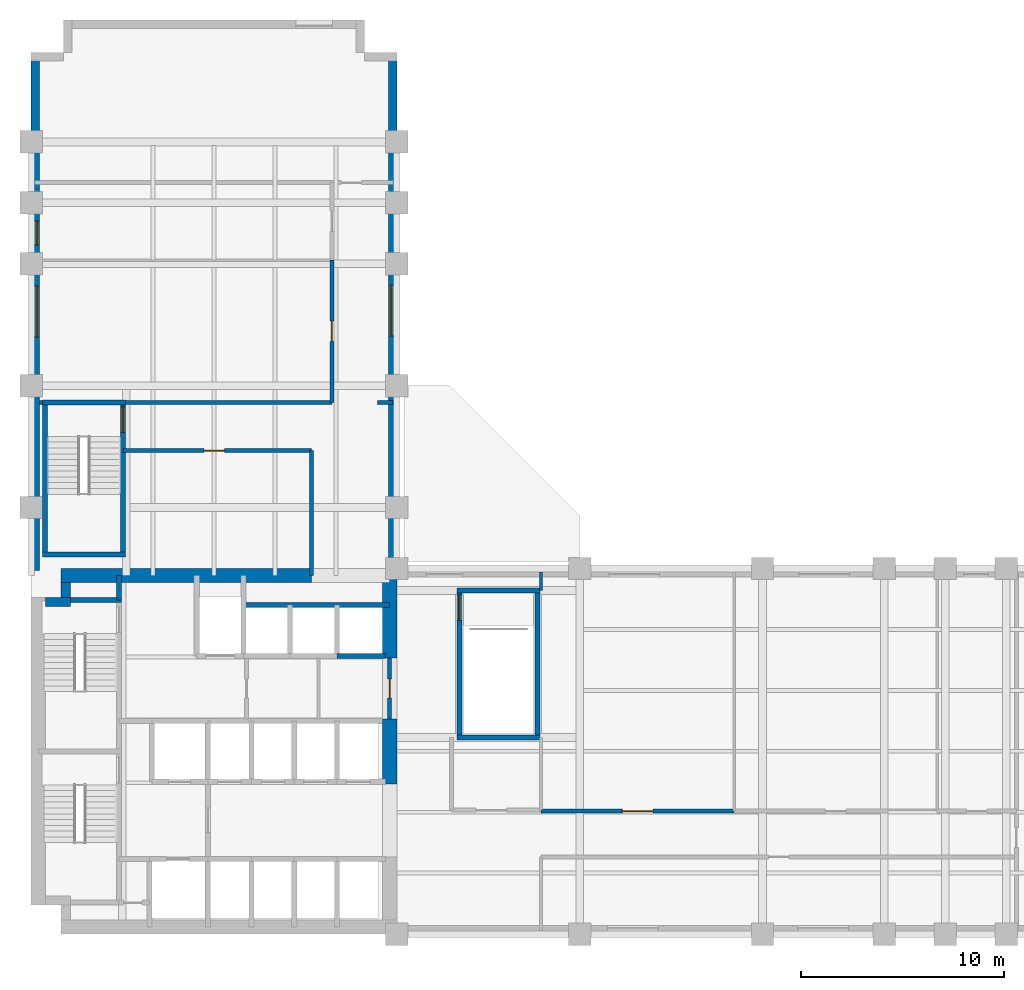
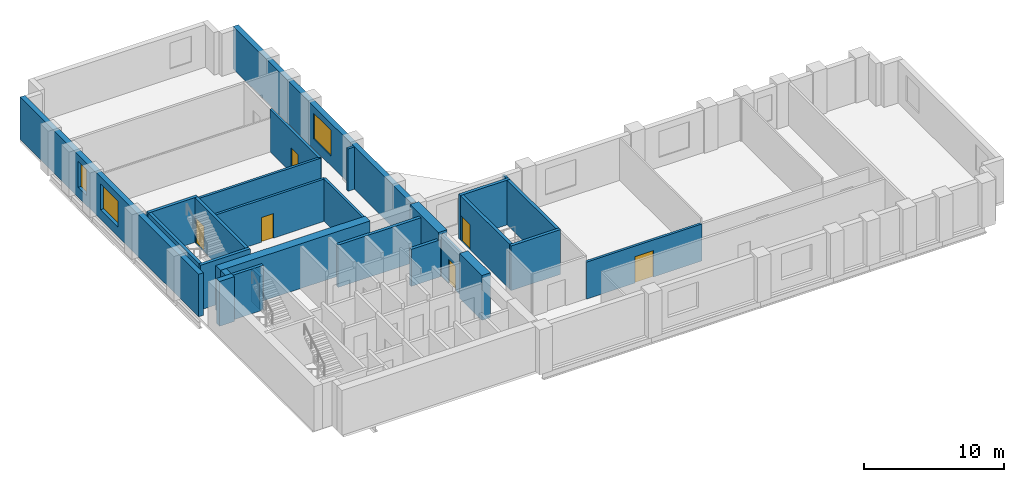
# One storey, part 4 of 7: 28 walls, 6 doors, 3 windows, 9 openings.
"""IFC4 building model written with IfcOpenShell, lengths in metres."""

import ifcopenshell
import ifcopenshell.guid

model = None  # the IFC model being written
_history = None  # IfcOwnerHistory: only IFC2X3 demands one
_inside = {}  # id of a spatial element -> (the spatial element, [elements in it])
_under = {}  # id of a project, library or spatial element -> (it, [spatial elements below it])
_declared = {}  # id of a project -> (the project, [libraries it declares])
_typed = {}  # id of a type object -> (the type object, [elements of that type])
_made_of = {}  # id of a material, layer set ... -> (it, [elements and type objects made of it])


def new_model(schema):
    """Start an empty IFC model of exactly this schema.

    Asked for "IFC4X3", IfcOpenShell would pick the latest addendum, in which some entities
    have other attributes; the version numbers below select the first issue.
    IFC2X3 requires an IfcOwnerHistory on every rooted entity: one is made here for all.
    """
    global model, _history
    if schema == "IFC4X3":
        model = ifcopenshell.file(schema_version=(4, 3, 0, 0))
    else:
        model = ifcopenshell.file(schema=schema)
    _inside.clear()
    _under.clear()
    _declared.clear()
    _typed.clear()
    _made_of.clear()
    _history = None
    if model.schema == "IFC2X3":
        org = make("IfcOrganization", Name="unknown")
        user = make(
            "IfcPersonAndOrganization",
            ThePerson=make("IfcPerson", FamilyName="unknown"),
            TheOrganization=org,
        )
        app = make(
            "IfcApplication",
            ApplicationDeveloper=org,
            Version="unknown",
            ApplicationFullName="unknown",
            ApplicationIdentifier="unknown",
        )
        _history = make(
            "IfcOwnerHistory",
            OwningUser=user,
            OwningApplication=app,
            ChangeAction="ADDED",
            CreationDate=0,
        )
    return model


def make(cls, **values):
    """One entity of the class cls with the attributes given. An attribute that is None is left unset."""
    return model.create_entity(
        cls, **{name: value for name, value in values.items() if value is not None}
    )


def rooted(cls, **values):
    """An entity with a GlobalId (a new one), such as an element, a storey or a relation."""
    return make(cls, GlobalId=ifcopenshell.guid.new(), OwnerHistory=_history, **values)


def si_unit(unit_type, name, prefix=None):
    """IfcSIUnit, for example si_unit("LENGTHUNIT", "METRE", prefix="MILLI")."""
    return make("IfcSIUnit", UnitType=unit_type, Prefix=prefix, Name=name)


def assignment(units):
    """IfcUnitAssignment: the units of a project."""
    return None if units is None else make("IfcUnitAssignment", Units=units)


def point(xyz):
    """IfcCartesianPoint."""
    return None if xyz is None else make("IfcCartesianPoint", Coordinates=xyz)


def direction(xyz):
    """IfcDirection."""
    return None if xyz is None else make("IfcDirection", DirectionRatios=xyz)


def frame(location, z_axis=None, x_axis=None):
    """IfcAxis2Placement3D, a coordinate frame: its origin and axes. An axis left out is left unset."""
    return make(
        "IfcAxis2Placement3D",
        Location=point(location),
        Axis=direction(z_axis),
        RefDirection=direction(x_axis),
    )


def frame_2d(location, x_axis=None):
    """IfcAxis2Placement2D, a coordinate frame in the plane: its origin and x axis."""
    return make(
        "IfcAxis2Placement2D", Location=point(location), RefDirection=direction(x_axis)
    )


def origin():
    """The frame at (0, 0, 0) with its axes left unset."""
    return frame((0.0, 0.0, 0.0))


def place(relative_to, where):
    """IfcLocalPlacement: puts the frame where relative to a parent placement (None: the world)."""
    return make(
        "IfcLocalPlacement", PlacementRelTo=relative_to, RelativePlacement=where
    )


def context(
    kind, dimensions, precision=None, world=None, true_north=None, identifier=None
):
    """IfcGeometricRepresentationContext, for example the 3D "Model" context."""
    return make(
        "IfcGeometricRepresentationContext",
        ContextIdentifier=identifier,
        ContextType=kind,
        CoordinateSpaceDimension=dimensions,
        Precision=precision,
        WorldCoordinateSystem=world,
        TrueNorth=true_north,
    )


def subcontext(parent, identifier, kind, view, scale=None):
    """IfcGeometricRepresentationSubContext, for example "Body" below "Model"."""
    return make(
        "IfcGeometricRepresentationSubContext",
        ContextIdentifier=identifier,
        ContextType=kind,
        ParentContext=parent,
        TargetScale=scale,
        TargetView=view,
    )


def project(units=None, contexts=None):
    """IfcProject with its units and contexts."""
    return rooted(
        "IfcProject",
        Name="project",
        RepresentationContexts=contexts,
        UnitsInContext=assignment(units),
    )


def spatial(cls, under=None, at=None, **own):
    """A site, building, storey or space (cls), placed at a placement, below another one or the project."""
    s = rooted(cls, ObjectPlacement=at, **own)
    if under is not None:
        _under.setdefault(under.id(), (under, []))[1].append(s)
    return s


def profile(cls, at=None, kind="AREA", **sizes):
    """A parametric profile (cls). Its sizes go by their IFC names, for example OverallWidth=200.0."""
    return make(cls, ProfileType=kind, Position=at, **sizes)


def rectangle(**sizes):
    """IfcRectangleProfileDef."""
    return profile("IfcRectangleProfileDef", **sizes)


def extrude(swept, where, along, depth):
    """IfcExtrudedAreaSolid: the profile swept, set in the frame where, extruded along a direction by depth."""
    return make(
        "IfcExtrudedAreaSolid",
        SweptArea=swept,
        Position=where,
        ExtrudedDirection=direction(along),
        Depth=depth,
    )


def shape(context_of_items, identifier, shape_type, items):
    """IfcShapeRepresentation: the items that make up one representation, for example the "Body"."""
    return make(
        "IfcShapeRepresentation",
        ContextOfItems=context_of_items,
        RepresentationIdentifier=identifier,
        RepresentationType=shape_type,
        Items=items,
    )


def material(Name=None, Category=None):
    """IfcMaterial."""
    return make("IfcMaterial", Name=Name, Category=Category)


def layer(
    of_material, thickness, ventilated=None, Name=None, Category=None, Priority=None
):
    """IfcMaterialLayer: one layer of a wall or slab, of a material (None: an air gap)."""
    return make(
        "IfcMaterialLayer",
        Material=of_material,
        LayerThickness=thickness,
        IsVentilated=ventilated,
        Name=Name,
        Category=Category,
        Priority=Priority,
    )


def layer_set(layers, Name=None):
    """IfcMaterialLayerSet."""
    return make("IfcMaterialLayerSet", MaterialLayers=layers, LayerSetName=Name)


def made_of(thing, what):
    """Note that an element or type object is made of a material, layer set ...; save() writes the relation."""
    if what is not None:
        _made_of.setdefault(what.id(), (what, []))[1].append(thing)
    return thing


def type_object(cls, material=None, **own):
    """A type object (cls), such as IfcWallType, which elements share."""
    return made_of(rooted(cls, **own), material)


def element(
    cls,
    number,
    at=None,
    inside=None,
    cuts=None,
    type_object=None,
    material=None,
    context=None,
    identifier="Body",
    shape_type=None,
    held_by="IfcProductDefinitionShape",
    body=None,
    shapes=None,
    **own,
):
    """One element of the class cls, such as IfcWall. Its Tag is "e" and its number.

    at: its placement. inside: the storey or other place that contains it. cuts: it is an
    opening in that element (IfcRelVoidsElement). A single representation is given by context,
    identifier, shape_type and body (its items); several are given by shapes. held_by: the class
    of the entity that holds the representations. save() writes the other relations.
    """
    e = rooted(cls, Tag="e%d" % number, ObjectPlacement=at, **own)
    if body is not None:
        shapes = [shape(context, identifier, shape_type, body)]
    if shapes is not None:
        e.Representation = make(held_by, Representations=shapes)
    if inside is not None:
        _inside.setdefault(inside.id(), (inside, []))[1].append(e)
    if cuts is not None:
        rooted(
            "IfcRelVoidsElement", RelatingBuildingElement=cuts, RelatedOpeningElement=e
        )
    if type_object is not None:
        _typed.setdefault(type_object.id(), (type_object, []))[1].append(e)
    return made_of(e, material)


def fill(opening, filler):
    """IfcRelFillsElement: the door or window that sits in an opening."""
    return rooted(
        "IfcRelFillsElement",
        RelatingOpeningElement=opening,
        RelatedBuildingElement=filler,
    )


def aggregate(whole, parts):
    """IfcRelAggregates: a whole, such as a stair, and the parts it consists of."""
    return rooted("IfcRelAggregates", RelatingObject=whole, RelatedObjects=parts)


def save(model, path):
    """Write the relations noted so far, then the file.

    IfcRelAggregates (storeys below a building ...), IfcRelContainedInSpatialStructure (elements
    in a storey), IfcRelDefinesByType, IfcRelAssociatesMaterial and IfcRelDeclares: one each for
    every whole, place, type object, material and project.
    """
    for whole, parts in _under.values():
        aggregate(whole, parts)
    for where, things in _inside.values():
        rooted(
            "IfcRelContainedInSpatialStructure",
            RelatedElements=things,
            RelatingStructure=where,
        )
    for kind, things in _typed.values():
        rooted("IfcRelDefinesByType", RelatedObjects=things, RelatingType=kind)
    for what, things in _made_of.values():
        rooted("IfcRelAssociatesMaterial", RelatedObjects=things, RelatingMaterial=what)
    for by, libraries in _declared.values():
        rooted("IfcRelDeclares", RelatingContext=by, RelatedDefinitions=libraries)
    model.write(path)


model = new_model("IFC4")

# Units and contexts
model_context = context("Model", 3, precision=1e-05, world=origin(), true_north=direction((0.0, 1.0)))
body_context = subcontext(model_context, "Body", "Model", "MODEL_VIEW")
ifc_project = project(units=[si_unit("LENGTHUNIT", "METRE"), si_unit("AREAUNIT", "SQUARE_METRE"), si_unit("VOLUMEUNIT", "CUBIC_METRE"), si_unit("PLANEANGLEUNIT", "RADIAN"), si_unit("MASSUNIT", "GRAM", prefix="KILO")], contexts=[model_context])

# Site, building, storey
site_placement = place(None, origin())
site = spatial("IfcSite", under=ifc_project, at=site_placement, CompositionType="ELEMENT")
building_placement = place(site_placement, origin())
building = spatial("IfcBuilding", under=site, at=building_placement, Name="Mawjdan Bourse Tower", CompositionType="ELEMENT")
storey_placement = place(building_placement, frame((0.0, 0.0, 93.300048828125)))
storey = spatial("IfcBuildingStorey", under=building, at=storey_placement, Name="L21", CompositionType="ELEMENT", Elevation=93.300048828125)

# Wall, opening, window
ifc_material_1 = material(Name="Brick Masonry Buff", Category="masonry")
ifc_layer_1 = layer(ifc_material_1, 0.419921875)
ifc_layer_set_1 = layer_set([ifc_layer_1], Name="Brick Masonry Buff")
wall_type_1 = type_object("IfcWallType", Name="WL-BRK-BUFF-420", PredefinedType="STANDARD", material=ifc_layer_set_1)
wall_1_placement = place(storey_placement, frame((23.7900390625, 21.0, 0.0), z_axis=(0.0, 0.0, 1.0), x_axis=(0.0, 1.0, 0.0)))
wall_1 = element("IfcWall", 1, at=wall_1_placement, inside=storey, type_object=wall_type_1, Name="L21 Exterior Brick Wall 8", PredefinedType="STANDARD", context=body_context, shape_type="SweptSolid", body=[
    extrude(rectangle(XDim=25.39990234375, YDim=0.419921875, at=frame_2d((12.699951171875, 0.0))), origin(), (0.0, 0.0, 1.0), 3.699951171875),
])
opening_1_placement = place(wall_1_placement, frame((11.449951171875, 0.0, 0.85009765625)))
opening_1 = element("IfcOpeningElement", 2, at=opening_1_placement, cuts=wall_1, Name="Opening W-L21-08", PredefinedType="OPENING", context=body_context, shape_type="SweptSolid", body=[
    extrude(rectangle(XDim=2.5, YDim=2.25, at=frame_2d((1.25, 1.125))), frame((0.0, 0.219970703125, 0.0), z_axis=(0.0, -1.0, 0.0), x_axis=(1.0, 0.0, 0.0)), (0.0, 0.0, 1.0), 0.43994140625),
])
ifc_material_2 = material(Name="Solar-Control Clear Double Glazing", Category="glass")
window_type_1 = type_object("IfcWindowType", Name="WN-Z2-2500", PartitioningType="SINGLE_PANEL", PredefinedType="WINDOW", material=ifc_material_2)
window_1_placement = place(opening_1_placement, origin())
window_1 = element("IfcWindow", 3, at=window_1_placement, inside=storey, type_object=window_type_1, Name="L21 Deep-Set Masonry Window W-L21-08", OverallHeight=2.25, OverallWidth=2.5, PartitioningType="SINGLE_PANEL", PredefinedType="WINDOW", context=body_context, shape_type="SweptSolid", body=[
    extrude(rectangle(XDim=2.5, YDim=2.25, at=frame_2d((1.25, 1.125))), frame((0.0, 0.110107421875, 0.0), z_axis=(0.0, -1.0, 0.0), x_axis=(1.0, 0.0, 0.0)), (0.0, 0.0, 1.0), 0.06005859375),
])
fill(opening_1, window_1)

# Wall, openings, windows
wall_2_placement = place(storey_placement, frame((6.2099609375, 46.39990234375, 0.0), z_axis=(0.0, 0.0, 1.0), x_axis=(0.0, -1.0, 0.0)))
wall_2 = element("IfcWall", 4, at=wall_2_placement, inside=storey, type_object=wall_type_1, Name="L21 Exterior Brick Wall 14", PredefinedType="STANDARD", context=body_context, shape_type="SweptSolid", body=[
    extrude(rectangle(XDim=25.5, YDim=0.419921875, at=frame_2d((12.75, 0.0))), origin(), (0.0, 0.0, 1.0), 3.699951171875),
])
opening_2_placement = place(wall_2_placement, frame((11.5, 0.0, 0.85009765625)))
opening_2 = element("IfcOpeningElement", 5, at=opening_2_placement, cuts=wall_2, Name="Opening W-L21-10", PredefinedType="OPENING", context=body_context, shape_type="SweptSolid", body=[
    extrude(rectangle(XDim=2.5, YDim=2.25, at=frame_2d((1.25, 1.125))), frame((0.0, 0.219970703125, 0.0), z_axis=(0.0, -1.0, 0.0), x_axis=(1.0, 0.0, 0.0)), (0.0, 0.0, 1.0), 0.43994140625),
])
opening_3_placement = place(wall_2_placement, frame((8.2861328125, 0.0, 0.85009765625)))
opening_3 = element("IfcOpeningElement", 6, at=opening_3_placement, cuts=wall_2, Name="Opening W-L21-12", PredefinedType="OPENING", context=body_context, shape_type="SweptSolid", body=[
    extrude(rectangle(XDim=1.199951171875, YDim=2.25, at=frame_2d((0.60009765625, 1.125))), frame((0.0, 0.219970703125, 0.0), z_axis=(0.0, -1.0, 0.0), x_axis=(1.0, 0.0, 0.0)), (0.0, 0.0, 1.0), 0.43994140625),
])
window_type_2 = type_object("IfcWindowType", Name="WN-Z2-1200", PartitioningType="SINGLE_PANEL", PredefinedType="WINDOW", material=ifc_material_2)
window_2_placement = place(opening_3_placement, origin())
window_2 = element("IfcWindow", 7, at=window_2_placement, inside=storey, type_object=window_type_2, Name="L21 Deep-Set Masonry Window W-L21-12", OverallHeight=2.25, OverallWidth=1.199951171875, PartitioningType="SINGLE_PANEL", PredefinedType="WINDOW", context=body_context, shape_type="SweptSolid", body=[
    extrude(rectangle(XDim=1.199951171875, YDim=2.25, at=frame_2d((0.60009765625, 1.125))), frame((0.0, 0.110107421875, 0.0), z_axis=(0.0, -1.0, 0.0), x_axis=(1.0, 0.0, 0.0)), (0.0, 0.0, 1.0), 0.06005859375),
])
fill(opening_3, window_2)
window_3_placement = place(opening_2_placement, origin())
window_3 = element("IfcWindow", 8, at=window_3_placement, inside=storey, type_object=window_type_1, Name="L21 Deep-Set Masonry Window W-L21-10", OverallHeight=2.25, OverallWidth=2.5, PartitioningType="SINGLE_PANEL", PredefinedType="WINDOW", context=body_context, shape_type="SweptSolid", body=[
    extrude(rectangle(XDim=2.5, YDim=2.25, at=frame_2d((1.25, 1.125))), frame((0.0, 0.110107421875, 0.0), z_axis=(0.0, -1.0, 0.0), x_axis=(1.0, 0.0, 0.0)), (0.0, 0.0, 1.0), 0.06005859375),
])
fill(opening_2, window_3)

# Wall, opening, door
ifc_material_3 = material(Name="Gypsum Fireboard Assembly")
ifc_layer_2 = layer(ifc_material_3, 0.199951171875)
ifc_layer_set_2 = layer_set([ifc_layer_2], Name="Gypsum Fireboard Assembly")
wall_type_2 = type_object("IfcWallType", Name="WL-CMP-200", PredefinedType="PARTITIONING", material=ifc_layer_set_2)
wall_3_placement = place(storey_placement, frame((23.64990234375, 13.60009765625, 0.0), z_axis=(0.0, 0.0, 1.0), x_axis=(0.0, 1.0, 0.0)))
wall_3 = element("IfcWall", 9, at=wall_3_placement, inside=storey, type_object=wall_type_2, Name="L21 Core Restroom East Enclosing Wall", PredefinedType="PARTITIONING", context=body_context, shape_type="SweptSolid", body=[
    extrude(rectangle(XDim=3.0, YDim=0.199951171875, at=frame_2d((1.5, 0.0))), origin(), (0.0, 0.0, 1.0), 3.68994140625),
])
opening_4_placement = place(wall_3_placement, frame((1.02001953125, 0.0, 0.0)))
opening_4 = element("IfcOpeningElement", 10, at=opening_4_placement, cuts=wall_3, Name="Opening D-L21-15", PredefinedType="OPENING", context=body_context, shape_type="SweptSolid", body=[
    extrude(rectangle(XDim=0.949951171875, YDim=2.10009765625, at=frame_2d((0.47509765625, 1.050048828125))), frame((0.0, 0.10986328125, 0.0), z_axis=(0.0, -1.0, 0.0), x_axis=(1.0, 0.0, 0.0)), (0.0, 0.0, 1.0), 0.219970703125),
])
ifc_material_4 = material(Name="Moisture-Resistant Laminate Timber", Category="wood")
door_type_1 = type_object("IfcDoorType", Name="DR-WET-0950", OperationType="NOTDEFINED", PredefinedType="DOOR", material=ifc_material_4)
door_1_placement = place(opening_4_placement, origin())
door_1 = element("IfcDoor", 11, at=door_1_placement, inside=storey, type_object=door_type_1, Name="L21 Accessible WC East Entry Door D-L21-15", OperationType="SINGLE_SWING_LEFT", OverallHeight=2.10009765625, OverallWidth=0.949951171875, PredefinedType="DOOR", context=body_context, shape_type="SweptSolid", body=[
    extrude(rectangle(XDim=0.949951171875, YDim=2.10009765625, at=frame_2d((0.47509765625, 1.050048828125))), frame((0.0, 0.02490234375, 0.0), z_axis=(0.0, -1.0, 0.0), x_axis=(1.0, 0.0, 0.0)), (0.0, 0.0, 1.0), 0.050048828125),
])
fill(opening_4, door_1)

wall_4_placement = place(storey_placement, frame((31.10009765625, 9.050048828125, 0.0), z_axis=(0.0, 0.0, 1.0), x_axis=(1.0, 0.0, 0.0)))
wall_4 = element("IfcWall", 12, at=wall_4_placement, inside=storey, type_object=wall_type_2, Name="L21 Conference Room Corridor Wall", PredefinedType="PARTITIONING", context=body_context, shape_type="SweptSolid", body=[
    extrude(rectangle(XDim=9.5, YDim=0.199951171875, at=frame_2d((4.75, 0.0))), origin(), (0.0, 0.0, 1.0), 3.22705078125),
])
opening_5_placement = place(wall_4_placement, frame((4.0, 0.0, 0.0)))
opening_5 = element("IfcOpeningElement", 13, at=opening_5_placement, cuts=wall_4, Name="Opening D-L21-20", PredefinedType="OPENING", context=body_context, shape_type="SweptSolid", body=[
    extrude(rectangle(XDim=1.5, YDim=2.300048828125, at=frame_2d((0.75, 1.14990234375))), frame((0.0, 0.10986328125, 0.0), z_axis=(0.0, -1.0, 0.0), x_axis=(1.0, 0.0, 0.0)), (0.0, 0.0, 1.0), 0.219970703125),
])
ifc_material_5 = material(Name="Acoustic Glazed Timber", Category="wood")
door_type_2 = type_object("IfcDoorType", Name="DR-CNF-1500", OperationType="DOUBLE_DOOR_SINGLE_SWING", PredefinedType="DOOR", material=ifc_material_5)
door_2_placement = place(opening_5_placement, origin())
door_2 = element("IfcDoor", 14, at=door_2_placement, inside=storey, type_object=door_type_2, Name="L21 Conference Room Door D-L21-20", OperationType="DOUBLE_DOOR_SINGLE_SWING", OverallHeight=2.300048828125, OverallWidth=1.5, PredefinedType="DOOR", context=body_context, shape_type="SweptSolid", body=[
    extrude(rectangle(XDim=1.5, YDim=2.300048828125, at=frame_2d((0.75, 1.14990234375))), frame((0.0, 0.02490234375, 0.0), z_axis=(0.0, -1.0, 0.0), x_axis=(1.0, 0.0, 0.0)), (0.0, 0.0, 1.0), 0.050048828125),
])
fill(opening_5, door_2)

wall_5_placement = place(storey_placement, frame((10.52001953125, 26.800048828125, 0.0), z_axis=(0.0, 0.0, 1.0), x_axis=(1.0, 0.0, 0.0)))
wall_5 = element("IfcWall", 15, at=wall_5_placement, inside=storey, type_object=wall_type_2, Name="L21 North Throat North Wall", PredefinedType="PARTITIONING", context=body_context, shape_type="SweptSolid", body=[
    extrude(rectangle(XDim=9.280029296875, YDim=0.199951171875, at=frame_2d((4.64013671875, 0.0))), origin(), (0.0, 0.0, 1.0), 3.68994140625),
])
opening_6_placement = place(wall_5_placement, frame((4.0, 0.0, 0.0)))
opening_6 = element("IfcOpeningElement", 16, at=opening_6_placement, cuts=wall_5, Name="Opening D-L21-24", PredefinedType="OPENING", context=body_context, shape_type="SweptSolid", body=[
    extrude(rectangle(XDim=1.0, YDim=2.14990234375, at=frame_2d((0.5, 1.074951171875))), frame((0.0, 0.10986328125, 0.0), z_axis=(0.0, -1.0, 0.0), x_axis=(1.0, 0.0, 0.0)), (0.0, 0.0, 1.0), 0.219970703125),
])
ifc_material_6 = material(Name="Hardwood Acoustic Leaf", Category="wood")
door_type_3 = type_object("IfcDoorType", Name="DR-OFC-1000", OperationType="NOTDEFINED", PredefinedType="DOOR", material=ifc_material_6)
door_3_placement = place(opening_6_placement, origin())
door_3 = element("IfcDoor", 17, at=door_3_placement, inside=storey, type_object=door_type_3, Name="L21 North Throat Suite Door D-L21-24", OperationType="SINGLE_SWING_RIGHT", OverallHeight=2.14990234375, OverallWidth=1.0, PredefinedType="DOOR", context=body_context, shape_type="SweptSolid", body=[
    extrude(rectangle(XDim=1.0, YDim=2.14990234375, at=frame_2d((0.5, 1.074951171875))), frame((0.0, 0.02490234375, 0.0), z_axis=(0.0, -1.0, 0.0), x_axis=(1.0, 0.0, 0.0)), (0.0, 0.0, 1.0), 0.050048828125),
])
fill(opening_6, door_3)

# Walls
wall_6_placement = place(storey_placement, frame((19.800048828125, 20.64990234375, 0.0), z_axis=(0.0, 0.0, 1.0), x_axis=(0.0, 1.0, 0.0)))
element("IfcWall", 18, at=wall_6_placement, inside=storey, type_object=wall_type_2, Name="L21 North Throat East Wall", PredefinedType="PARTITIONING", context=body_context, shape_type="SweptSolid", body=[
    extrude(rectangle(XDim=6.150146484375, YDim=0.199951171875, at=frame_2d((3.0751953125, 0.0))), origin(), (0.0, 0.0, 1.0), 3.68994140625),
])
wall_7_placement = place(storey_placement, frame((6.419921875, 29.179931640625, 0.0), z_axis=(0.0, 0.0, 1.0), x_axis=(1.0, 0.0, 0.0)))
element("IfcWall", 19, at=wall_7_placement, inside=storey, type_object=wall_type_2, Name="L21 North West Band ST3 West Return", PredefinedType="PARTITIONING", context=body_context, shape_type="SweptSolid", body=[
    extrude(rectangle(XDim=0.135009765625, YDim=0.199951171875, at=frame_2d((0.0673828125, 0.0))), origin(), (0.0, 0.0, 1.0), 3.68994140625),
])
wall_8_placement = place(storey_placement, frame((10.6298828125, 29.179931640625, 0.0), z_axis=(0.0, 0.0, 1.0), x_axis=(1.0, 0.0, 0.0)))
element("IfcWall", 20, at=wall_8_placement, inside=storey, type_object=wall_type_2, Name="L21 North West Band South Wall", PredefinedType="PARTITIONING", context=body_context, shape_type="SweptSolid", body=[
    extrude(rectangle(XDim=10.170166015625, YDim=0.199951171875, at=frame_2d((5.0849609375, 0.0))), origin(), (0.0, 0.0, 1.0), 3.68994140625),
])
wall_9_placement = place(storey_placement, frame((23.050048828125, 29.179931640625, 0.0), z_axis=(0.0, 0.0, 1.0), x_axis=(1.0, 0.0, 0.0)))
element("IfcWall", 21, at=wall_9_placement, inside=storey, type_object=wall_type_2, Name="L21 North East Band South Wall", PredefinedType="PARTITIONING", context=body_context, shape_type="SweptSolid", body=[
    extrude(rectangle(XDim=0.77001953125, YDim=0.199951171875, at=frame_2d((0.385009765625, 0.0))), origin(), (0.0, 0.0, 1.0), 3.68994140625),
])

# Wall, opening, door
wall_10_placement = place(storey_placement, frame((20.800048828125, 29.179931640625, 0.0), z_axis=(0.0, 0.0, 1.0), x_axis=(0.0, 1.0, 0.0)))
wall_10 = element("IfcWall", 22, at=wall_10_placement, inside=storey, type_object=wall_type_2, Name="L21 Executive Office Corridor Wall", PredefinedType="PARTITIONING", context=body_context, shape_type="SweptSolid", body=[
    extrude(rectangle(XDim=7.0, YDim=0.199951171875, at=frame_2d((3.5, 0.0))), origin(), (0.0, 0.0, 1.0), 3.68994140625),
])
opening_7_placement = place(wall_10_placement, frame((3.0, 0.0, 0.0)))
opening_7 = element("IfcOpeningElement", 23, at=opening_7_placement, cuts=wall_10, Name="Opening D-L21-25", PredefinedType="OPENING", context=body_context, shape_type="SweptSolid", body=[
    extrude(rectangle(XDim=1.0, YDim=2.14990234375, at=frame_2d((0.5, 1.074951171875))), frame((0.0, 0.10986328125, 0.0), z_axis=(0.0, -1.0, 0.0), x_axis=(1.0, 0.0, 0.0)), (0.0, 0.0, 1.0), 0.219970703125),
])
door_4_placement = place(opening_7_placement, origin())
door_4 = element("IfcDoor", 24, at=door_4_placement, inside=storey, type_object=door_type_3, Name="L21 Executive Office Door D-L21-25", OperationType="SINGLE_SWING_LEFT", OverallHeight=2.14990234375, OverallWidth=1.0, PredefinedType="DOOR", context=body_context, shape_type="SweptSolid", body=[
    extrude(rectangle(XDim=1.0, YDim=2.14990234375, at=frame_2d((0.5, 1.074951171875))), frame((0.0, 0.02490234375, 0.0), z_axis=(0.0, -1.0, 0.0), x_axis=(1.0, 0.0, 0.0)), (0.0, 0.0, 1.0), 0.050048828125),
])
fill(opening_7, door_4)

# Walls
ifc_material_7 = material(Name="Concrete C60/75", Category="concrete")
ifc_layer_3 = layer(ifc_material_7, 0.449951171875)
ifc_layer_set_3 = layer_set([ifc_layer_3], Name="Concrete C60/75")
wall_type_3 = type_object("IfcWallType", Name="WL-CORE-450", PredefinedType="SHEAR", material=ifc_layer_set_3)
wall_11_placement = place(storey_placement, frame((6.699951171875, 19.35009765625, 0.0), z_axis=(0.0, 0.0, 1.0), x_axis=(1.0, 0.0, 0.0)))
element("IfcWall", 25, at=wall_11_placement, inside=storey, type_object=wall_type_3, Name="L21 Rear Core Shear Wall NW-X", PredefinedType="SHEAR", context=body_context, shape_type="SweptSolid", body=[
    extrude(rectangle(XDim=1.22509765625, YDim=0.449951171875, at=frame_2d((0.612548828125, 0.0))), origin(), (0.0, 0.0, 1.0), 3.89990234375),
])
wall_12_placement = place(storey_placement, frame((7.699951171875, 19.574951171875, 0.0), z_axis=(0.0, 0.0, 1.0), x_axis=(0.0, 1.0, 0.0)))
element("IfcWall", 26, at=wall_12_placement, inside=storey, type_object=wall_type_3, Name="L21 Rear Core Shear Wall NW-Y", PredefinedType="SHEAR", context=body_context, shape_type="SweptSolid", body=[
    extrude(rectangle(XDim=0.72509765625, YDim=0.449951171875, at=frame_2d((0.362548828125, 0.0))), origin(), (0.0, 0.0, 1.0), 3.89990234375),
])
ifc_material_8 = material(Name="Concrete C70/85", Category="concrete")
ifc_layer_4 = layer(ifc_material_8, 0.699951171875)
ifc_layer_set_4 = layer_set([ifc_layer_4], Name="Concrete C70/85")
wall_type_4 = type_object("IfcWallType", Name="WL-CORE-700", PredefinedType="SHEAR", material=ifc_layer_set_4)
wall_13_placement = place(storey_placement, frame((7.47509765625, 20.64990234375, 0.0), z_axis=(0.0, 0.0, 1.0), x_axis=(1.0, 0.0, 0.0)))
element("IfcWall", 27, at=wall_13_placement, inside=storey, type_object=wall_type_4, Name="L21 Rear Core Shear Wall N", PredefinedType="SHEAR", context=body_context, shape_type="SweptSolid", body=[
    extrude(rectangle(XDim=12.324951171875, YDim=0.699951171875, at=frame_2d((6.16259765625, 0.0))), origin(), (0.0, 0.0, 1.0), 3.89990234375),
])
wall_14_placement = place(storey_placement, frame((23.64990234375, 10.39990234375, 0.0), z_axis=(0.0, 0.0, 1.0), x_axis=(0.0, 1.0, 0.0)))
element("IfcWall", 28, at=wall_14_placement, inside=storey, type_object=wall_type_4, Name="L21 Rear Core Shear Wall E2", PredefinedType="SHEAR", context=body_context, shape_type="SweptSolid", body=[
    extrude(rectangle(XDim=3.2001953125, YDim=0.699951171875, at=frame_2d((1.60009765625, 0.0))), origin(), (0.0, 0.0, 1.0), 3.89990234375),
])
wall_15_placement = place(storey_placement, frame((23.64990234375, 16.60009765625, 0.0), z_axis=(0.0, 0.0, 1.0), x_axis=(0.0, 1.0, 0.0)))
element("IfcWall", 29, at=wall_15_placement, inside=storey, type_object=wall_type_4, Name="L21 Rear Core Shear Wall E3", PredefinedType="SHEAR", context=body_context, shape_type="SweptSolid", body=[
    extrude(rectangle(XDim=4.0498046875, YDim=0.699951171875, at=frame_2d((2.02490234375, 0.0))), origin(), (0.0, 0.0, 1.0), 3.89990234375),
])
ifc_material_9 = material(Name="Gypsum Acoustic Partition")
ifc_layer_5 = layer(ifc_material_9, 0.14990234375)
ifc_layer_set_5 = layer_set([ifc_layer_5], Name="Gypsum Acoustic Partition")
wall_type_5 = type_object("IfcWallType", Name="WL-PRT-150", PredefinedType="PARTITIONING", material=ifc_layer_set_5)
wall_16_placement = place(storey_placement, frame((31.10009765625, 19.919921875, 0.0), z_axis=(0.0, 0.0, 1.0), x_axis=(0.0, 1.0, 0.0)))
element("IfcWall", 30, at=wall_16_placement, inside=storey, type_object=wall_type_5, Name="L21 Sky Lobby ST5 North Return", PredefinedType="PARTITIONING", context=body_context, shape_type="SweptSolid", body=[
    extrude(rectangle(XDim=0.900146484375, YDim=0.14990234375, at=frame_2d((0.4501953125, 0.0))), origin(), (0.0, 0.0, 1.0), 3.68994140625),
])
ifc_material_10 = material(Name="Concrete C50/60", Category="concrete")
ifc_layer_6 = layer(ifc_material_10, 0.25)
ifc_layer_set_6 = layer_set([ifc_layer_6], Name="Concrete C50/60")
wall_type_6 = type_object("IfcWallType", Name="WL-SHFT-250", PredefinedType="PARTITIONING", material=ifc_layer_set_6)
wall_17_placement = place(storey_placement, frame((10.330078125, 19.449951171875, 0.0), z_axis=(0.0, 0.0, 1.0), x_axis=(0.0, 1.0, 0.0)))
element("IfcWall", 31, at=wall_17_placement, inside=storey, type_object=wall_type_6, Name="L21 NW Riser East Wall", PredefinedType="PARTITIONING", context=body_context, shape_type="SweptSolid", body=[
    extrude(rectangle(XDim=1.199951171875, YDim=0.25, at=frame_2d((0.60009765625, 0.0))), origin(), (0.0, 0.0, 1.0), 2.9169921875),
])
wall_18_placement = place(storey_placement, frame((21.050048828125, 16.699951171875, 0.0), z_axis=(0.0, 0.0, 1.0), x_axis=(1.0, 0.0, 0.0)))
element("IfcWall", 32, at=wall_18_placement, inside=storey, type_object=wall_type_6, Name="L21 PH-03 Front Wall", PredefinedType="PARTITIONING", context=body_context, shape_type="SweptSolid", body=[
    extrude(rectangle(XDim=2.39990234375, YDim=0.25, at=frame_2d((1.199951171875, 0.0))), origin(), (0.0, 0.0, 1.0), 3.22705078125),
])
wall_19_placement = place(storey_placement, frame((16.449951171875, 19.199951171875, 0.0), z_axis=(0.0, 0.0, 1.0), x_axis=(1.0, 0.0, 0.0)))
element("IfcWall", 33, at=wall_19_placement, inside=storey, type_object=wall_type_6, Name="L21 PH Bank North Shaft Back Wall", PredefinedType="PARTITIONING", context=body_context, shape_type="SweptSolid", body=[
    extrude(rectangle(XDim=7.199951171875, YDim=0.25, at=frame_2d((3.60009765625, 0.0))), origin(), (0.0, 0.0, 1.0), 3.68994140625),
])
ifc_layer_7 = layer(ifc_material_10, 0.25)
ifc_layer_set_7 = layer_set([ifc_layer_7], Name="Concrete C50/60")
wall_type_7 = type_object("IfcWallType", Name="WL-STRW-250", PredefinedType="SHEAR", material=ifc_layer_set_7)
wall_20_placement = place(storey_placement, frame((7.699951171875, 19.449951171875, 0.0), z_axis=(0.0, 0.0, 1.0), x_axis=(1.0, 0.0, 0.0)))
element("IfcWall", 34, at=wall_20_placement, inside=storey, type_object=wall_type_7, Name="L21 Stairwell ST2 North Shaft Wall", PredefinedType="SHEAR", context=body_context, shape_type="SweptSolid", body=[
    extrude(rectangle(XDim=2.755126953125, YDim=0.25, at=frame_2d((1.37744140625, 0.0))), origin(), (0.0, 0.0, 1.0), 3.89990234375),
])
for number, where, z_axis, x_axis, name in (
    (35, (26.955078125, 12.679931640625, 0.0), (0.0, 0.0, 1.0), (1.0, 0.0, 0.0), "L21 ST5A South Shaft Wall"),
    (36, (26.955078125, 19.919921875, 0.0), (0.0, 0.0, 1.0), (1.0, 0.0, 0.0), "L21 ST5A North Shaft Wall"),
):
    element("IfcWall", number, at=place(storey_placement, frame(where, z_axis=z_axis, x_axis=x_axis)), inside=storey, type_object=wall_type_7, Name=name, PredefinedType="SHEAR", context=body_context, shape_type="SweptSolid", body=[
        extrude(rectangle(XDim=4.08984375, YDim=0.25, at=frame_2d((2.044921875, 0.0))), origin(), (0.0, 0.0, 1.0), 3.89990234375),
    ])
wall_21_placement = place(storey_placement, frame((30.919921875, 12.679931640625, 0.0), z_axis=(0.0, 0.0, 1.0), x_axis=(0.0, 1.0, 0.0)))
element("IfcWall", 37, at=wall_21_placement, inside=storey, type_object=wall_type_7, Name="L21 ST5A East Shaft Wall", PredefinedType="SHEAR", context=body_context, shape_type="SweptSolid", body=[
    extrude(rectangle(XDim=7.239990234375, YDim=0.25, at=frame_2d((3.6201171875, 0.0))), origin(), (0.0, 0.0, 1.0), 3.89990234375),
])

# Wall, opening, door
wall_22_placement = place(storey_placement, frame((27.080078125, 12.679931640625, 0.0), z_axis=(0.0, 0.0, 1.0), x_axis=(0.0, 1.0, 0.0)))
wall_22 = element("IfcWall", 38, at=wall_22_placement, inside=storey, type_object=wall_type_7, Name="L21 ST5A West Shaft Wall", PredefinedType="SHEAR", context=body_context, shape_type="SweptSolid", body=[
    extrude(rectangle(XDim=7.239990234375, YDim=0.25, at=frame_2d((3.6201171875, 0.0))), origin(), (0.0, 0.0, 1.0), 3.89990234375),
])
opening_8_placement = place(wall_22_placement, frame((5.760009765625, 0.0, 0.0)))
opening_8 = element("IfcOpeningElement", 39, at=opening_8_placement, cuts=wall_22, Name="Opening SD-L21-16", PredefinedType="OPENING", context=body_context, shape_type="SweptSolid", body=[
    extrude(rectangle(XDim=1.25, YDim=2.199951171875, at=frame_2d((0.625, 1.10009765625))), frame((0.0, 0.135009765625, 0.0), z_axis=(0.0, -1.0, 0.0), x_axis=(1.0, 0.0, 0.0)), (0.0, 0.0, 1.0), 0.27001953125),
])
ifc_material_11 = material(Name="Fire-Rated Steel Leaf", Category="steel")
door_type_4 = type_object("IfcDoorType", Name="FD-ST-1250", OperationType="NOTDEFINED", PredefinedType="DOOR", material=ifc_material_11)
door_5_placement = place(opening_8_placement, frame((1.25, 0.0, 0.0), z_axis=(0.0, 0.0, 1.0), x_axis=(-1.0, 0.0, 0.0)))
door_5 = element("IfcDoor", 40, at=door_5_placement, inside=storey, type_object=door_type_4, Name="L21 Stair ST5A Fire Door SD-L21-16", OperationType="SINGLE_SWING_RIGHT", OverallHeight=2.199951171875, OverallWidth=1.25, PredefinedType="DOOR", context=body_context, shape_type="SweptSolid", body=[
    extrude(rectangle(XDim=1.25, YDim=2.199951171875, at=frame_2d((0.625, 1.10009765625))), frame((0.0, 0.02490234375, 0.0), z_axis=(0.0, -1.0, 0.0), x_axis=(1.0, 0.0, 0.0)), (0.0, 0.0, 1.0), 0.050048828125),
])
fill(opening_8, door_5)

# Walls
for number, where, z_axis, x_axis, name in (
    (41, (6.554931640625, 21.679931640625, 0.0), (0.0, 0.0, 1.0), (1.0, 0.0, 0.0), "L21 ST3 South Shaft Wall"),
    (42, (6.554931640625, 29.179931640625, 0.0), (0.0, 0.0, 1.0), (1.0, 0.0, 0.0), "L21 ST3 North Shaft Wall"),
):
    element("IfcWall", number, at=place(storey_placement, frame(where, z_axis=z_axis, x_axis=x_axis)), inside=storey, type_object=wall_type_7, Name=name, PredefinedType="SHEAR", context=body_context, shape_type="SweptSolid", body=[
        extrude(rectangle(XDim=4.090087890625, YDim=0.25, at=frame_2d((2.044921875, 0.0))), origin(), (0.0, 0.0, 1.0), 3.89990234375),
    ])
wall_23_placement = place(storey_placement, frame((6.679931640625, 21.679931640625, 0.0), z_axis=(0.0, 0.0, 1.0), x_axis=(0.0, 1.0, 0.0)))
element("IfcWall", 43, at=wall_23_placement, inside=storey, type_object=wall_type_7, Name="L21 ST3 West Shaft Wall", PredefinedType="SHEAR", context=body_context, shape_type="SweptSolid", body=[
    extrude(rectangle(XDim=7.5, YDim=0.25, at=frame_2d((3.75, 0.0))), origin(), (0.0, 0.0, 1.0), 3.89990234375),
])

# Wall, opening, door
wall_24_placement = place(storey_placement, frame((10.52001953125, 21.679931640625, 0.0), z_axis=(0.0, 0.0, 1.0), x_axis=(0.0, 1.0, 0.0)))
wall_24 = element("IfcWall", 44, at=wall_24_placement, inside=storey, type_object=wall_type_7, Name="L21 ST3 East Shaft Wall", PredefinedType="SHEAR", context=body_context, shape_type="SweptSolid", body=[
    extrude(rectangle(XDim=7.5, YDim=0.25, at=frame_2d((3.75, 0.0))), origin(), (0.0, 0.0, 1.0), 3.89990234375),
])
opening_9_placement = place(wall_24_placement, frame((6.02001953125, 0.0, 0.0)))
opening_9 = element("IfcOpeningElement", 45, at=opening_9_placement, cuts=wall_24, Name="Opening SD-L21-17", PredefinedType="OPENING", context=body_context, shape_type="SweptSolid", body=[
    extrude(rectangle(XDim=1.25, YDim=2.199951171875, at=frame_2d((0.625, 1.10009765625))), frame((0.0, 0.135009765625, 0.0), z_axis=(0.0, -1.0, 0.0), x_axis=(1.0, 0.0, 0.0)), (0.0, 0.0, 1.0), 0.27001953125),
])
door_6_placement = place(opening_9_placement, origin())
door_6 = element("IfcDoor", 46, at=door_6_placement, inside=storey, type_object=door_type_4, Name="L21 Stair ST3 Fire Door SD-L21-17", OperationType="SINGLE_SWING_LEFT", OverallHeight=2.199951171875, OverallWidth=1.25, PredefinedType="DOOR", context=body_context, shape_type="SweptSolid", body=[
    extrude(rectangle(XDim=1.25, YDim=2.199951171875, at=frame_2d((0.625, 1.10009765625))), frame((0.0, 0.02490234375, 0.0), z_axis=(0.0, -1.0, 0.0), x_axis=(1.0, 0.0, 0.0)), (0.0, 0.0, 1.0), 0.050048828125),
])
fill(opening_9, door_6)

save(model, "model.ifc")
